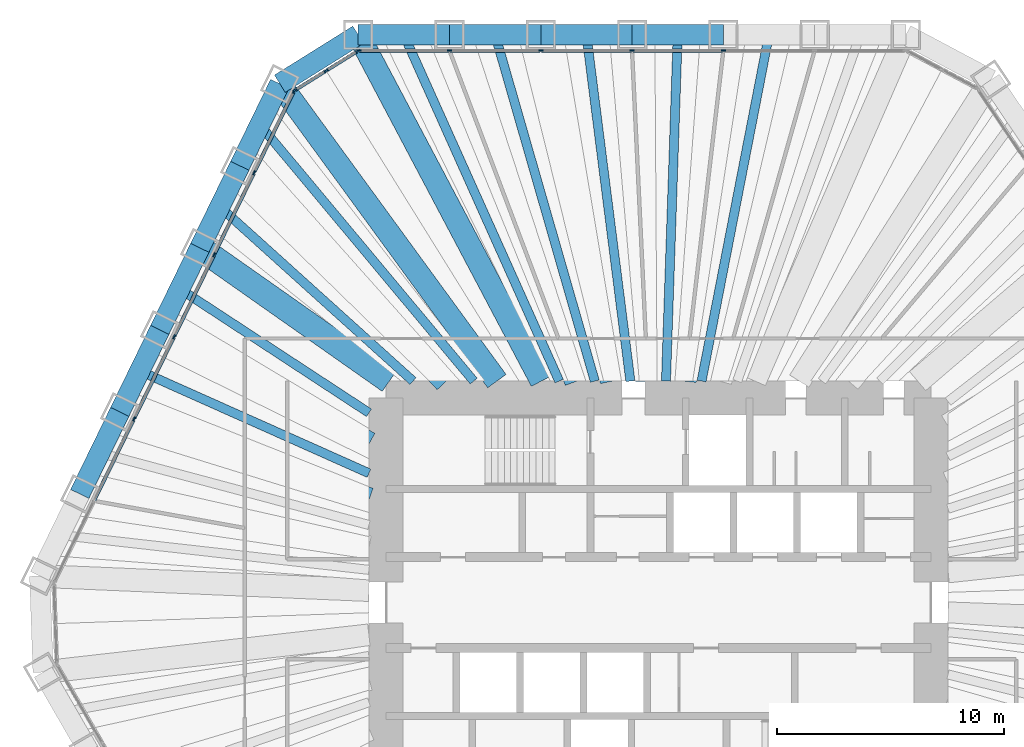
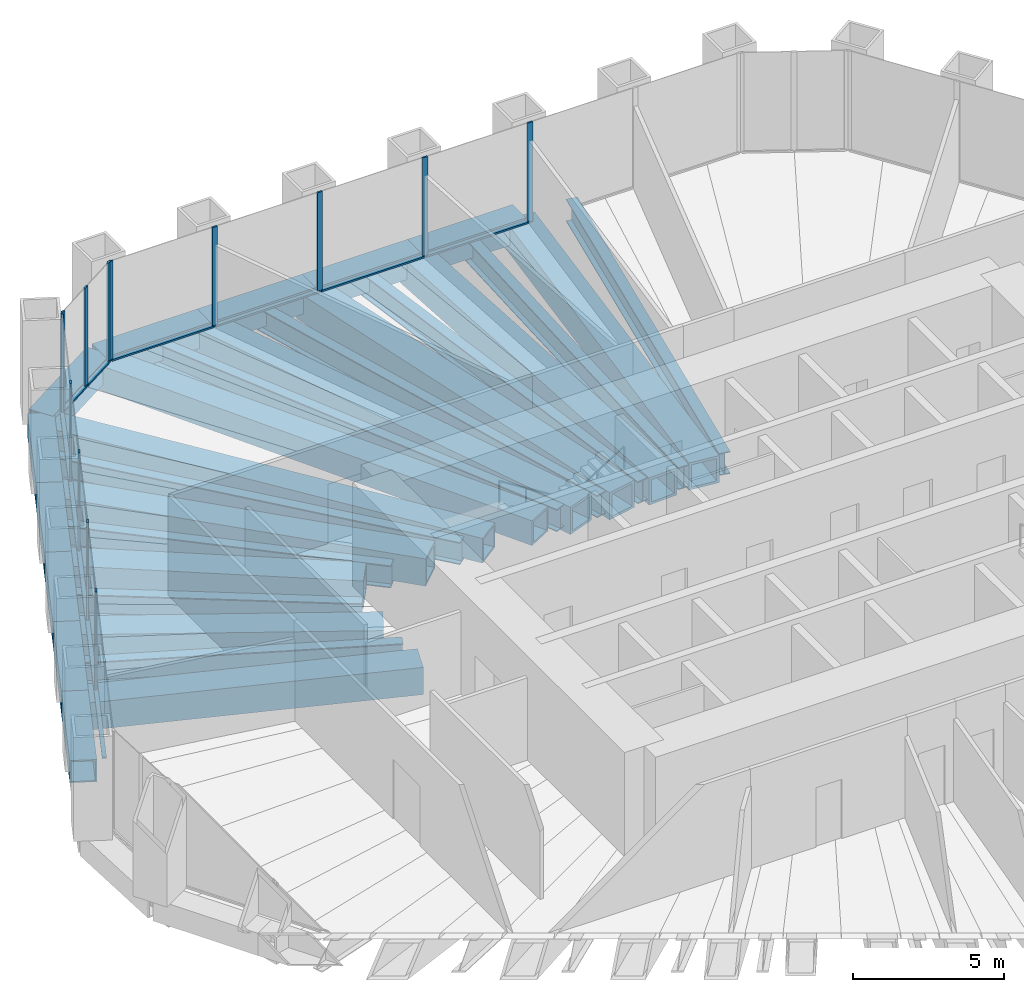
# One storey, part 5 of 12: 29 beams, 24 members, 3 elements without a shape of their own.
"""IFC4 building model written with IfcOpenShell, lengths in metres."""

from ifc_helpers import new_model, si_unit, direction, frame, origin, origin_2d, place, context, subcontext, project, spatial, rectangle, hollow_rectangle, i_section, extrude, material, material_profile, profile_set, type_object, element, aggregate, save


model = new_model("IFC4")

# Units and contexts
model_context = context("Model", 3, precision=1e-05, world=origin(), true_north=direction((0.0, 1.0)))
body_context = subcontext(model_context, "Body", "Model", "MODEL_VIEW")
ifc_project = project(units=[si_unit("LENGTHUNIT", "METRE"), si_unit("AREAUNIT", "SQUARE_METRE"), si_unit("VOLUMEUNIT", "CUBIC_METRE"), si_unit("PLANEANGLEUNIT", "RADIAN"), si_unit("MASSUNIT", "GRAM", prefix="KILO")], contexts=[model_context])

# Site, building, storey
site_placement = place(None, origin())
site = spatial("IfcSite", under=ifc_project, at=site_placement, CompositionType="ELEMENT")
building_placement = place(site_placement, origin())
building = spatial("IfcBuilding", under=site, at=building_placement, Name="Qingtian Harvest Tower", CompositionType="ELEMENT")
storey_placement = place(building_placement, frame((0.0, 0.0, 107.199951171875)))
storey = spatial("IfcBuildingStorey", under=building, at=storey_placement, Name="L21", CompositionType="ELEMENT", Elevation=107.199951171875)

# Beams
ifc_material_1 = material(Name="Steel SN490B", Category="steel")
ifc_material_profile_1 = material_profile(ifc_material_1, i_section(OverallWidth=0.39990234375, OverallDepth=0.89990234375, WebThickness=0.01904296875, FlangeThickness=0.035888671875, at=origin_2d()), Name="H900x400x19x36")
ifc_profile_set_1 = profile_set([ifc_material_profile_1], Name="Steel SN490B")
beam_type_1 = type_object("IfcBeamType", Name="Floor joist J4 H900x400x19x36", PredefinedType="JOIST", material=ifc_profile_set_1)
beam_1_placement = place(storey_placement, frame((-11.212158203125, 25.0, -0.619873046875), z_axis=(0.409212761683, -0.912438992852, 0.0), x_axis=(0.912438992852, 0.409212761683, 0.0)))
element("IfcBeam", 1, at=beam_1_placement, inside=storey, type_object=beam_type_1, Name="Floor joist J4 N0", PredefinedType="JOIST", context=body_context, shape_type="SweptSolid", body=[
    extrude(i_section(OverallWidth=0.39990234375, OverallDepth=0.89990234375, WebThickness=0.01904296875, FlangeThickness=0.035888671875, at=origin_2d()), origin(), (0.0, 0.0, 1.0), 16.71337890625),
])
beam_2_placement = place(storey_placement, frame((-7.193115234375, 25.0, -0.619873046875), z_axis=(0.276500682027, -0.961013721462, 0.0), x_axis=(0.961013721462, 0.276500682027, 0.0)))
element("IfcBeam", 2, at=beam_2_placement, inside=storey, type_object=beam_type_1, Name="Floor joist J4 N1", PredefinedType="JOIST", context=body_context, shape_type="SweptSolid", body=[
    extrude(i_section(OverallWidth=0.39990234375, OverallDepth=0.89990234375, WebThickness=0.01904296875, FlangeThickness=0.035888671875, at=origin_2d()), origin(), (0.0, 0.0, 1.0), 15.86865234375),
])
beam_3_placement = place(storey_placement, frame((-3.174072265625, 25.0, -0.619873046875), z_axis=(0.125957899702, -0.992035587821, 0.0), x_axis=(0.992035587821, 0.125957899702, 0.0)))
element("IfcBeam", 3, at=beam_3_placement, inside=storey, type_object=beam_type_1, Name="Floor joist J4 N2", PredefinedType="JOIST", context=body_context, shape_type="SweptSolid", body=[
    extrude(i_section(OverallWidth=0.39990234375, OverallDepth=0.89990234375, WebThickness=0.01904296875, FlangeThickness=0.035888671875, at=origin_2d()), origin(), (0.0, 0.0, 1.0), 15.372314453125),
])
beam_4_placement = place(storey_placement, frame((0.844970703125, 25.0, -0.619873046875), z_axis=(-0.033776183237, -0.999429421943, 0.0), x_axis=(0.999429421943, -0.033776183237, 0.0)))
element("IfcBeam", 4, at=beam_4_placement, inside=storey, type_object=beam_type_1, Name="Floor joist J4 N3", PredefinedType="JOIST", context=body_context, shape_type="SweptSolid", body=[
    extrude(i_section(OverallWidth=0.39990234375, OverallDepth=0.89990234375, WebThickness=0.01904296875, FlangeThickness=0.035888671875, at=origin_2d()), origin(), (0.0, 0.0, 1.0), 15.2587890625),
])
beam_5_placement = place(storey_placement, frame((4.864013671875, 25.0, -0.619873046875), z_axis=(-0.190979017217, -0.981594119269, 0.0), x_axis=(0.981594119269, -0.190979017217, 0.0)))
element("IfcBeam", 5, at=beam_5_placement, inside=storey, type_object=beam_type_1, Name="Floor joist J4 N4", PredefinedType="JOIST", context=body_context, shape_type="SweptSolid", body=[
    extrude(i_section(OverallWidth=0.39990234375, OverallDepth=0.89990234375, WebThickness=0.01904296875, FlangeThickness=0.035888671875, at=origin_2d()), origin(), (0.0, 0.0, 1.0), 15.535888671875),
])
beam_6_placement = place(storey_placement, frame((-22.84033203125, 10.19970703125, -0.619873046875), z_axis=(0.913095877166, -0.407744919162, 0.0), x_axis=(0.407744919162, 0.913095877166, 0.0)))
element("IfcBeam", 6, at=beam_6_placement, inside=storey, type_object=beam_type_1, Name="Floor joist J4 NW2", PredefinedType="JOIST", context=body_context, shape_type="SweptSolid", body=[
    extrude(i_section(OverallWidth=0.39990234375, OverallDepth=0.89990234375, WebThickness=0.01904296875, FlangeThickness=0.035888671875, at=origin_2d()), origin(), (0.0, 0.0, 1.0), 11.05078125),
])
beam_7_placement = place(storey_placement, frame((-21.078369140625, 13.81201171875, -0.619873046875), z_axis=(0.836426246046, -0.548079496903, 0.0), x_axis=(0.548079496903, 0.836426246046, 0.0)))
element("IfcBeam", 7, at=beam_7_placement, inside=storey, type_object=beam_type_1, Name="Floor joist J4 NW3", PredefinedType="JOIST", context=body_context, shape_type="SweptSolid", body=[
    extrude(i_section(OverallWidth=0.39990234375, OverallDepth=0.89990234375, WebThickness=0.01904296875, FlangeThickness=0.035888671875, at=origin_2d()), origin(), (0.0, 0.0, 1.0), 9.95703125),
])
beam_8_placement = place(storey_placement, frame((-19.316650390625, 17.42431640625, -0.619873046875), z_axis=(0.742543540775, -0.669797797886, 0.0), x_axis=(0.669797797886, 0.742543540775, 0.0)))
element("IfcBeam", 8, at=beam_8_placement, inside=storey, type_object=beam_type_1, Name="Floor joist J4 NW4", PredefinedType="JOIST", context=body_context, shape_type="SweptSolid", body=[
    extrude(i_section(OverallWidth=0.39990234375, OverallDepth=0.89990234375, WebThickness=0.01904296875, FlangeThickness=0.035888671875, at=origin_2d()), origin(), (0.0, 0.0, 1.0), 11.457763671875),
])
beam_9_placement = place(storey_placement, frame((-17.5546875, 21.03662109375, -0.619873046875), z_axis=(0.640703730007, -0.767788206704, 0.0), x_axis=(0.767788206704, 0.640703730007, 0.0)))
element("IfcBeam", 9, at=beam_9_placement, inside=storey, type_object=beam_type_1, Name="Floor joist J4 NW5", PredefinedType="JOIST", context=body_context, shape_type="SweptSolid", body=[
    extrude(i_section(OverallWidth=0.39990234375, OverallDepth=0.89990234375, WebThickness=0.01904296875, FlangeThickness=0.035888671875, at=origin_2d()), origin(), (0.0, 0.0, 1.0), 14.7001953125),
])

# Curtain wall, members
ifc_material_2 = material(Name="Bronze-anodised aluminium curtain wall", Category="aluminium")
curtain_wall_type = type_object("IfcCurtainWallType", Name="Curtain wall CW4 office", PredefinedType="USERDEFINED", material=ifc_material_2)
curtain_wall_1_placement = place(storey_placement, origin())
curtain_wall_1 = element("IfcCurtainWall", 10, at=curtain_wall_1_placement, inside=storey, type_object=curtain_wall_type, Name="Curtain wall CW4 L21 N0-5", ObjectType="RECESSED CURTAIN WALL", PredefinedType="USERDEFINED")
ifc_material_3 = material(Name="Bronze-anodised aluminium mullion", Category="aluminium")
ifc_material_profile_2 = material_profile(ifc_material_3, rectangle(XDim=0.06494140625, YDim=0.199951171875, at=origin_2d()), Name="AL 65x200")
ifc_profile_set_2 = profile_set([ifc_material_profile_2], Name="Bronze-anodised aluminium mullion")
member_type_1 = type_object("IfcMemberType", Name="Mullion CWM 65x200", PredefinedType="MULLION", material=ifc_profile_set_2)
member_1_placement = place(storey_placement, frame((-13.189208984375, 24.300048828125, 0.0), z_axis=(0.0, 0.0, 1.0), x_axis=(0.0, 1.0, 0.0)))
member_1 = element("IfcMember", 11, at=member_1_placement, type_object=member_type_1, Name="CW4 mullion 1", PredefinedType="MULLION", context=body_context, shape_type="SweptSolid", body=[
    extrude(rectangle(XDim=0.06494140625, YDim=0.199951171875, at=origin_2d()), origin(), (0.0, 0.0, 1.0), 4.030029296875),
])
member_2_placement = place(storey_placement, frame((-9.20263671875, 24.300048828125, 0.0), z_axis=(0.0, 0.0, 1.0), x_axis=(0.0, 1.0, 0.0)))
member_2 = element("IfcMember", 12, at=member_2_placement, type_object=member_type_1, Name="CW4 mullion 2", PredefinedType="MULLION", context=body_context, shape_type="SweptSolid", body=[
    extrude(rectangle(XDim=0.06494140625, YDim=0.199951171875, at=origin_2d()), origin(), (0.0, 0.0, 1.0), 4.030029296875),
])
member_3_placement = place(storey_placement, frame((-5.18359375, 24.300048828125, 0.0), z_axis=(0.0, 0.0, 1.0), x_axis=(0.0, 1.0, 0.0)))
member_3 = element("IfcMember", 13, at=member_3_placement, type_object=member_type_1, Name="CW4 mullion 3", PredefinedType="MULLION", context=body_context, shape_type="SweptSolid", body=[
    extrude(rectangle(XDim=0.06494140625, YDim=0.199951171875, at=origin_2d()), origin(), (0.0, 0.0, 1.0), 4.030029296875),
])
member_4_placement = place(storey_placement, frame((-1.16455078125, 24.300048828125, 0.0), z_axis=(0.0, 0.0, 1.0), x_axis=(0.0, 1.0, 0.0)))
member_4 = element("IfcMember", 14, at=member_4_placement, type_object=member_type_1, Name="CW4 mullion 4", PredefinedType="MULLION", context=body_context, shape_type="SweptSolid", body=[
    extrude(rectangle(XDim=0.06494140625, YDim=0.199951171875, at=origin_2d()), origin(), (0.0, 0.0, 1.0), 4.030029296875),
])
member_5_placement = place(storey_placement, frame((2.8544921875, 24.300048828125, 0.0), z_axis=(0.0, 0.0, 1.0), x_axis=(0.0, 1.0, 0.0)))
member_5 = element("IfcMember", 15, at=member_5_placement, type_object=member_type_1, Name="CW4 mullion 5", PredefinedType="MULLION", context=body_context, shape_type="SweptSolid", body=[
    extrude(rectangle(XDim=0.06494140625, YDim=0.199951171875, at=origin_2d()), origin(), (0.0, 0.0, 1.0), 4.030029296875),
])

curtain_wall_2_placement = place(storey_placement, origin())
curtain_wall_2 = element("IfcCurtainWall", 16, at=curtain_wall_2_placement, inside=storey, type_object=curtain_wall_type, Name="Curtain wall CW4 L21 NW0-5", ObjectType="RECESSED CURTAIN WALL", PredefinedType="USERDEFINED")
member_6_placement = place(storey_placement, frame((-23.092041015625, 8.086669921875, 0.0), z_axis=(0.0, 0.0, 1.0), x_axis=(-0.898794046299, 0.438371146789, 0.0)))
member_6 = element("IfcMember", 17, at=member_6_placement, type_object=member_type_1, Name="CW4 mullion 3", PredefinedType="MULLION", context=body_context, shape_type="SweptSolid", body=[
    extrude(rectangle(XDim=0.06494140625, YDim=0.199951171875, at=origin_2d()), origin(), (0.0, 0.0, 1.0), 4.030029296875),
])
member_7_placement = place(storey_placement, frame((-21.330322265625, 11.698974609375, 0.0), z_axis=(0.0, 0.0, 1.0), x_axis=(-0.898794046299, 0.438371146789, 0.0)))
member_7 = element("IfcMember", 18, at=member_7_placement, type_object=member_type_1, Name="CW4 mullion 4", PredefinedType="MULLION", context=body_context, shape_type="SweptSolid", body=[
    extrude(rectangle(XDim=0.06494140625, YDim=0.199951171875, at=origin_2d()), origin(), (0.0, 0.0, 1.0), 4.030029296875),
])
member_8_placement = place(storey_placement, frame((-19.568359375, 15.311279296875, 0.0), z_axis=(0.0, 0.0, 1.0), x_axis=(-0.898794046299, 0.438371146789, 0.0)))
member_8 = element("IfcMember", 19, at=member_8_placement, type_object=member_type_1, Name="CW4 mullion 5", PredefinedType="MULLION", context=body_context, shape_type="SweptSolid", body=[
    extrude(rectangle(XDim=0.06494140625, YDim=0.199951171875, at=origin_2d()), origin(), (0.0, 0.0, 1.0), 4.030029296875),
])
member_9_placement = place(storey_placement, frame((-17.806396484375, 18.923828125, 0.0), z_axis=(0.0, 0.0, 1.0), x_axis=(-0.898794046299, 0.438371146789, 0.0)))
member_9 = element("IfcMember", 20, at=member_9_placement, type_object=member_type_1, Name="CW4 mullion 6", PredefinedType="MULLION", context=body_context, shape_type="SweptSolid", body=[
    extrude(rectangle(XDim=0.06494140625, YDim=0.199951171875, at=origin_2d()), origin(), (0.0, 0.0, 1.0), 4.030029296875),
])
member_10_placement = place(storey_placement, frame((-16.058837890625, 22.5068359375, 0.0), z_axis=(0.0, 0.0, 1.0), x_axis=(-0.898794046299, 0.438371146789, 0.0)))
member_10 = element("IfcMember", 21, at=member_10_placement, type_object=member_type_1, Name="CW4 mullion 7", PredefinedType="MULLION", context=body_context, shape_type="SweptSolid", body=[
    extrude(rectangle(XDim=0.06494140625, YDim=0.199951171875, at=origin_2d()), origin(), (0.0, 0.0, 1.0), 4.030029296875),
])

curtain_wall_3_placement = place(storey_placement, origin())
curtain_wall_3 = element("IfcCurtainWall", 22, at=curtain_wall_3_placement, inside=storey, type_object=curtain_wall_type, Name="Curtain wall CW4 L21 NWC", ObjectType="RECESSED CURTAIN WALL", PredefinedType="USERDEFINED")
member_11_placement = place(storey_placement, frame((-16.01708984375, 22.55322265625, 0.0), z_axis=(0.0, 0.0, 1.0), x_axis=(-0.529919264233, 0.848048096156, 0.0)))
member_11 = element("IfcMember", 23, at=member_11_placement, type_object=member_type_1, Name="CW4 mullion 1", PredefinedType="MULLION", context=body_context, shape_type="SweptSolid", body=[
    extrude(rectangle(XDim=0.06494140625, YDim=0.199951171875, at=origin_2d()), origin(), (0.0, 0.0, 1.0), 4.030029296875),
])
member_12_placement = place(storey_placement, frame((-14.63330078125, 23.41796875, 0.0), z_axis=(0.0, 0.0, 1.0), x_axis=(-0.529919264233, 0.848048096156, 0.0)))
member_12 = element("IfcMember", 24, at=member_12_placement, type_object=member_type_1, Name="CW4 mullion 2", PredefinedType="MULLION", context=body_context, shape_type="SweptSolid", body=[
    extrude(rectangle(XDim=0.06494140625, YDim=0.199951171875, at=origin_2d()), origin(), (0.0, 0.0, 1.0), 4.030029296875),
])
member_13_placement = place(storey_placement, frame((-13.249267578125, 24.28271484375, 0.0), z_axis=(0.0, 0.0, 1.0), x_axis=(-0.529919264233, 0.848048096156, 0.0)))
member_13 = element("IfcMember", 25, at=member_13_placement, type_object=member_type_1, Name="CW4 mullion 3", PredefinedType="MULLION", context=body_context, shape_type="SweptSolid", body=[
    extrude(rectangle(XDim=0.06494140625, YDim=0.199951171875, at=origin_2d()), origin(), (0.0, 0.0, 1.0), 4.030029296875),
])

# Beams
ifc_material_4 = material(Name="Steel SM570MC", Category="steel")
ifc_material_profile_3 = material_profile(ifc_material_4, hollow_rectangle(XDim=1.0, YDim=1.0, WallThickness=0.080078125, at=origin_2d()), Name="BOX1000x1000x80")
ifc_profile_set_3 = profile_set([ifc_material_profile_3], Name="Steel SM570MC")
beam_type_2 = type_object("IfcBeamType", Name="Transfer corner beam FB11 BOX1000x1000x80", PredefinedType="BEAM", material=ifc_profile_set_3)
beam_10_placement = place(storey_placement, frame((-13.2216796875, 25.0, -0.669921875), z_axis=(0.46750989692, -0.88398783718, 0.0), x_axis=(0.88398783718, 0.46750989692, 0.0)))
element("IfcBeam", 26, at=beam_10_placement, inside=storey, type_object=beam_type_2, Name="Floor beam FB11 N0", PredefinedType="BEAM", context=body_context, shape_type="SweptSolid", body=[
    extrude(hollow_rectangle(XDim=1.0, YDim=1.0, WallThickness=0.080078125, at=origin_2d()), origin(), (0.0, 0.0, 1.0), 17.25146484375),
])
beam_11_placement = place(storey_placement, frame((-16.673828125, 22.8427734375, -0.669921875), z_axis=(0.589577703364, -0.807711663712, 0.0), x_axis=(0.807711663712, 0.589577703364, 0.0)))
element("IfcBeam", 27, at=beam_11_placement, inside=storey, type_object=beam_type_2, Name="Floor beam FB11 NW6", PredefinedType="BEAM", context=body_context, shape_type="SweptSolid", body=[
    extrude(hollow_rectangle(XDim=1.0, YDim=1.0, WallThickness=0.080078125, at=origin_2d()), origin(), (0.0, 0.0, 1.0), 16.209716796875),
])
ifc_material_5 = material(Name="Steel SM570MC", Category="steel")
ifc_material_profile_4 = material_profile(ifc_material_5, hollow_rectangle(XDim=1.10009765625, YDim=1.10009765625, WallThickness=0.10009765625, at=origin_2d()), Name="BOX1100x1100x100")
ifc_profile_set_4 = profile_set([ifc_material_profile_4], Name="Steel SM570MC")
beam_type_3 = type_object("IfcBeamType", Name="Transfer floor beam FB9 BOX1100x1100x100", PredefinedType="BEAM", material=ifc_profile_set_4)
beam_12_placement = place(storey_placement, frame((-9.20263671875, 25.0, -0.719970703125), z_axis=(0.345440084985, -0.938440806703, 0.0), x_axis=(0.938440806703, 0.345440084985, 0.0)))
element("IfcBeam", 28, at=beam_12_placement, inside=storey, type_object=beam_type_3, Name="Floor beam FB9 N1", PredefinedType="BEAM", context=body_context, shape_type="SweptSolid", body=[
    extrude(hollow_rectangle(XDim=1.10009765625, YDim=1.10009765625, WallThickness=0.10009765625, at=origin_2d()), origin(), (0.0, 0.0, 1.0), 16.250244140625),
])
beam_13_placement = place(storey_placement, frame((-5.18359375, 25.0, -0.719970703125), z_axis=(0.203032709566, -0.979171955709, 0.0), x_axis=(0.979171955709, 0.203032709566, 0.0)))
element("IfcBeam", 29, at=beam_13_placement, inside=storey, type_object=beam_type_3, Name="Floor beam FB9 N2", PredefinedType="BEAM", context=body_context, shape_type="SweptSolid", body=[
    extrude(hollow_rectangle(XDim=1.10009765625, YDim=1.10009765625, WallThickness=0.10009765625, at=origin_2d()), origin(), (0.0, 0.0, 1.0), 15.574462890625),
])
beam_14_placement = place(storey_placement, frame((-1.16455078125, 25.0, -0.719970703125), z_axis=(0.046536361684, -0.998916596639, 0.0), x_axis=(0.998916596639, 0.046536361684, 0.0)))
element("IfcBeam", 30, at=beam_14_placement, inside=storey, type_object=beam_type_3, Name="Floor beam FB9 N3", PredefinedType="BEAM", context=body_context, shape_type="SweptSolid", body=[
    extrude(hollow_rectangle(XDim=1.10009765625, YDim=1.10009765625, WallThickness=0.10009765625, at=origin_2d()), origin(), (0.0, 0.0, 1.0), 15.2666015625),
])
beam_15_placement = place(storey_placement, frame((2.8544921875, 25.0, -0.719970703125), z_axis=(-0.113440722222, -0.993544766249, 0.0), x_axis=(0.993544766249, -0.113440722222, 0.0)))
element("IfcBeam", 31, at=beam_15_placement, inside=storey, type_object=beam_type_3, Name="Floor beam FB9 N4", PredefinedType="BEAM", context=body_context, shape_type="SweptSolid", body=[
    extrude(hollow_rectangle(XDim=1.10009765625, YDim=1.10009765625, WallThickness=0.10009765625, at=origin_2d()), origin(), (0.0, 0.0, 1.0), 15.34912109375),
])
beam_16_placement = place(storey_placement, frame((-23.72119140625, 8.3935546875, -0.719970703125), z_axis=(0.942723186419, -0.333576068967, 0.0), x_axis=(0.333576068967, 0.942723186419, 0.0)))
element("IfcBeam", 32, at=beam_16_placement, inside=storey, type_object=beam_type_3, Name="Floor beam FB9 NW2", PredefinedType="BEAM", context=body_context, shape_type="SweptSolid", body=[
    extrude(hollow_rectangle(XDim=1.10009765625, YDim=1.10009765625, WallThickness=0.10009765625, at=origin_2d()), origin(), (0.0, 0.0, 1.0), 11.6376953125),
])
beam_17_placement = place(storey_placement, frame((-21.95947265625, 12.005859375, -0.719970703125), z_axis=(0.877432026785, -0.479700988505, 0.0), x_axis=(0.479700988505, 0.877432026785, 0.0)))
element("IfcBeam", 33, at=beam_17_placement, inside=storey, type_object=beam_type_3, Name="Floor beam FB9 NW3", PredefinedType="BEAM", context=body_context, shape_type="SweptSolid", body=[
    extrude(hollow_rectangle(XDim=1.10009765625, YDim=1.10009765625, WallThickness=0.10009765625, at=origin_2d()), origin(), (0.0, 0.0, 1.0), 10.495849609375),
])
beam_18_placement = place(storey_placement, frame((-20.197509765625, 15.6181640625, -0.719970703125), z_axis=(0.818080343043, -0.57510394915, 0.0), x_axis=(0.57510394915, 0.818080343043, 0.0)))
element("IfcBeam", 34, at=beam_18_placement, inside=storey, type_object=beam_type_3, Name="Floor beam FB9 NW4", PredefinedType="BEAM", context=body_context, shape_type="SweptSolid", body=[
    extrude(hollow_rectangle(XDim=1.10009765625, YDim=1.10009765625, WallThickness=0.10009765625, at=origin_2d()), origin(), (0.0, 0.0, 1.0), 10.20361328125),
])
beam_19_placement = place(storey_placement, frame((-18.435791015625, 19.23046875, -0.719970703125), z_axis=(0.69204101057, -0.721858185303, 0.0), x_axis=(0.721858185303, 0.69204101057, 0.0)))
element("IfcBeam", 35, at=beam_19_placement, inside=storey, type_object=beam_type_3, Name="Floor beam FB9 NW5", PredefinedType="BEAM", context=body_context, shape_type="SweptSolid", body=[
    extrude(hollow_rectangle(XDim=1.10009765625, YDim=1.10009765625, WallThickness=0.10009765625, at=origin_2d()), origin(), (0.0, 0.0, 1.0), 13.13330078125),
])
ifc_material_6 = material(Name="Steel SM570MC", Category="steel")
ifc_material_profile_5 = material_profile(ifc_material_6, hollow_rectangle(XDim=0.89990234375, YDim=0.89990234375, WallThickness=0.050048828125, at=origin_2d()), Name="BOX900x900x50")
ifc_profile_set_5 = profile_set([ifc_material_profile_5], Name="Steel SM570MC")
beam_type_4 = type_object("IfcBeamType", Name="Transition spandrel SB6 BOX900x900x50", PredefinedType="SPANDREL", material=ifc_profile_set_5)
for number, where, z_axis, x_axis, name in (
    (36, (-13.2216796875, 25.0, -0.449951171875), (1.0, 0.0, 0.0), (0.0, 1.0, 0.0), "Spandrel SB6 N0"),
    (37, (-9.20263671875, 25.0, -0.449951171875), (1.0, 0.0, 0.0), (0.0, 1.0, 0.0), "Spandrel SB6 N1"),
    (38, (-5.18359375, 25.0, -0.449951171875), (1.0, 0.0, 0.0), (0.0, 1.0, 0.0), "Spandrel SB6 N2"),
    (39, (-1.16455078125, 25.0, -0.449951171875), (1.0, 0.0, 0.0), (0.0, 1.0, 0.0), "Spandrel SB6 N3"),
    (40, (-25.483154296875, 4.78125, -0.449951171875), (0.438396105405, 0.89878187274, 0.0), (-0.89878187274, 0.438396105405, 0.0), "Spandrel SB6 NW1"),
    (41, (-23.72119140625, 8.3935546875, -0.449951171875), (0.438347033158, 0.898805806902, 0.0), (-0.898805806902, 0.438347033158, 0.0), "Spandrel SB6 NW2"),
    (42, (-21.95947265625, 12.005859375, -0.449951171875), (0.438396105405, 0.89878187274, 0.0), (-0.89878187274, 0.438396105405, 0.0), "Spandrel SB6 NW3"),
    (43, (-20.197509765625, 15.6181640625, -0.449951171875), (0.438347033158, 0.898805806902, 0.0), (-0.898805806902, 0.438347033158, 0.0), "Spandrel SB6 NW4"),
    (44, (-18.435791015625, 19.23046875, -0.449951171875), (0.438396105405, 0.89878187274, 0.0), (-0.89878187274, 0.438396105405, 0.0), "Spandrel SB6 NW5"),
):
    element("IfcBeam", number, at=place(storey_placement, frame(where, z_axis=z_axis, x_axis=x_axis)), inside=storey, type_object=beam_type_4, Name=name, PredefinedType="SPANDREL", context=body_context, shape_type="SweptSolid", body=[
        extrude(hollow_rectangle(XDim=0.89990234375, YDim=0.89990234375, WallThickness=0.050048828125, at=origin_2d()), origin(), (0.0, 0.0, 1.0), 4.01904296875),
    ])
beam_20_placement = place(storey_placement, frame((-16.673828125, 22.8427734375, -0.449951171875), z_axis=(0.848038733752, 0.529934246919, 0.0), x_axis=(-0.529934246919, 0.848038733752, 0.0)))
element("IfcBeam", 45, at=beam_20_placement, inside=storey, type_object=beam_type_4, Name="Spandrel SB6 NWC", PredefinedType="SPANDREL", context=body_context, shape_type="SweptSolid", body=[
    extrude(hollow_rectangle(XDim=0.89990234375, YDim=0.89990234375, WallThickness=0.050048828125, at=origin_2d()), origin(), (0.0, 0.0, 1.0), 4.07080078125),
])

# Member
ifc_material_7 = material(Name="Bronze-anodised aluminium transom", Category="aluminium")
ifc_material_profile_6 = material_profile(ifc_material_7, rectangle(XDim=0.14990234375, YDim=0.06494140625, at=origin_2d()), Name="AL 65x150")
ifc_profile_set_6 = profile_set([ifc_material_profile_6], Name="Bronze-anodised aluminium transom")
member_type_2 = type_object("IfcMemberType", Name="Transom CWT 65x150", PredefinedType="USERDEFINED", material=ifc_profile_set_6)
member_14_placement = place(storey_placement, frame((-13.15673828125, 24.300048828125, 0.032470703125), z_axis=(1.0, 0.0, 0.0), x_axis=(0.0, 1.0, 0.0)))
member_14 = element("IfcMember", 46, at=member_14_placement, type_object=member_type_2, Name="CW4 transom 1.1", ObjectType="TRANSOM", PredefinedType="USERDEFINED", context=body_context, shape_type="SweptSolid", body=[
    extrude(rectangle(XDim=0.14990234375, YDim=0.06494140625, at=origin_2d()), origin(), (0.0, 0.0, 1.0), 3.921630859375),
])

member_15_placement = place(storey_placement, frame((-9.170166015625, 24.300048828125, 0.032470703125), z_axis=(1.0, 0.0, 0.0), x_axis=(0.0, 1.0, 0.0)))
member_15 = element("IfcMember", 47, at=member_15_placement, type_object=member_type_2, Name="CW4 transom 2.1", ObjectType="TRANSOM", PredefinedType="USERDEFINED", context=body_context, shape_type="SweptSolid", body=[
    extrude(rectangle(XDim=0.14990234375, YDim=0.06494140625, at=origin_2d()), origin(), (0.0, 0.0, 1.0), 3.9541015625),
])

member_16_placement = place(storey_placement, frame((-5.151123046875, 24.300048828125, 0.032470703125), z_axis=(1.0, 0.0, 0.0), x_axis=(0.0, 1.0, 0.0)))
member_16 = element("IfcMember", 48, at=member_16_placement, type_object=member_type_2, Name="CW4 transom 3.1", ObjectType="TRANSOM", PredefinedType="USERDEFINED", context=body_context, shape_type="SweptSolid", body=[
    extrude(rectangle(XDim=0.14990234375, YDim=0.06494140625, at=origin_2d()), origin(), (0.0, 0.0, 1.0), 3.9541015625),
])

member_17_placement = place(storey_placement, frame((-1.132080078125, 24.300048828125, 0.032470703125), z_axis=(1.0, 0.0, 0.0), x_axis=(0.0, 1.0, 0.0)))
member_17 = element("IfcMember", 49, at=member_17_placement, type_object=member_type_2, Name="CW4 transom 4.1", ObjectType="TRANSOM", PredefinedType="USERDEFINED", context=body_context, shape_type="SweptSolid", body=[
    extrude(rectangle(XDim=0.14990234375, YDim=0.06494140625, at=origin_2d()), origin(), (0.0, 0.0, 1.0), 3.9541015625),
])

aggregate(curtain_wall_1, [member_1, member_2, member_3, member_4, member_5, member_14, member_15, member_16, member_17])

member_18_placement = place(storey_placement, frame((-24.839599609375, 4.503662109375, 0.032470703125), z_axis=(0.438374972828, 0.898792180205, 0.0), x_axis=(-0.898792180205, 0.438374972828, 0.0)))
member_18 = element("IfcMember", 50, at=member_18_placement, type_object=member_type_2, Name="CW4 transom 2.1", ObjectType="TRANSOM", PredefinedType="USERDEFINED", context=body_context, shape_type="SweptSolid", body=[
    extrude(rectangle(XDim=0.14990234375, YDim=0.06494140625, at=origin_2d()), origin(), (0.0, 0.0, 1.0), 3.9541015625),
])

member_19_placement = place(storey_placement, frame((-23.077880859375, 8.115966796875, 0.032470703125), z_axis=(0.438374972828, 0.898792180205, 0.0), x_axis=(-0.898792180205, 0.438374972828, 0.0)))
member_19 = element("IfcMember", 51, at=member_19_placement, type_object=member_type_2, Name="CW4 transom 3.1", ObjectType="TRANSOM", PredefinedType="USERDEFINED", context=body_context, shape_type="SweptSolid", body=[
    extrude(rectangle(XDim=0.14990234375, YDim=0.06494140625, at=origin_2d()), origin(), (0.0, 0.0, 1.0), 3.9541015625),
])

member_20_placement = place(storey_placement, frame((-21.31591796875, 11.728271484375, 0.032470703125), z_axis=(0.438374972828, 0.898792180205, 0.0), x_axis=(-0.898792180205, 0.438374972828, 0.0)))
member_20 = element("IfcMember", 52, at=member_20_placement, type_object=member_type_2, Name="CW4 transom 4.1", ObjectType="TRANSOM", PredefinedType="USERDEFINED", context=body_context, shape_type="SweptSolid", body=[
    extrude(rectangle(XDim=0.14990234375, YDim=0.06494140625, at=origin_2d()), origin(), (0.0, 0.0, 1.0), 3.9541015625),
])

member_21_placement = place(storey_placement, frame((-19.55419921875, 15.340576171875, 0.032470703125), z_axis=(0.438374972828, 0.898792180205, 0.0), x_axis=(-0.898792180205, 0.438374972828, 0.0)))
member_21 = element("IfcMember", 53, at=member_21_placement, type_object=member_type_2, Name="CW4 transom 5.1", ObjectType="TRANSOM", PredefinedType="USERDEFINED", context=body_context, shape_type="SweptSolid", body=[
    extrude(rectangle(XDim=0.14990234375, YDim=0.06494140625, at=origin_2d()), origin(), (0.0, 0.0, 1.0), 3.9541015625),
])

member_22_placement = place(storey_placement, frame((-17.792236328125, 18.952880859375, 0.032470703125), z_axis=(0.438351261745, 0.898803744611, 0.0), x_axis=(-0.898803744611, 0.438351261745, 0.0)))
member_22 = element("IfcMember", 54, at=member_22_placement, type_object=member_type_2, Name="CW4 transom 6.1", ObjectType="TRANSOM", PredefinedType="USERDEFINED", context=body_context, shape_type="SweptSolid", body=[
    extrude(rectangle(XDim=0.14990234375, YDim=0.06494140625, at=origin_2d()), origin(), (0.0, 0.0, 1.0), 3.92138671875),
])

aggregate(curtain_wall_2, [member_6, member_7, member_8, member_9, member_10, member_18, member_19, member_20, member_21, member_22])

member_23_placement = place(storey_placement, frame((-15.989501953125, 22.570556640625, 0.032470703125), z_axis=(0.848059570903, 0.529900900357, 0.0), x_axis=(-0.529900900357, 0.848059570903, 0.0)))
member_23 = element("IfcMember", 55, at=member_23_placement, type_object=member_type_2, Name="CW4 transom 1.1", ObjectType="TRANSOM", PredefinedType="USERDEFINED", context=body_context, shape_type="SweptSolid", body=[
    extrude(rectangle(XDim=0.14990234375, YDim=0.06494140625, at=origin_2d()), origin(), (0.0, 0.0, 1.0), 1.56689453125),
])

member_24_placement = place(storey_placement, frame((-14.605712890625, 23.435302734375, 0.032470703125), z_axis=(0.848059570903, 0.529900900357, 0.0), x_axis=(-0.529900900357, 0.848059570903, 0.0)))
member_24 = element("IfcMember", 56, at=member_24_placement, type_object=member_type_2, Name="CW4 transom 2.1", ObjectType="TRANSOM", PredefinedType="USERDEFINED", context=body_context, shape_type="SweptSolid", body=[
    extrude(rectangle(XDim=0.14990234375, YDim=0.06494140625, at=origin_2d()), origin(), (0.0, 0.0, 1.0), 1.56689453125),
])

aggregate(curtain_wall_3, [member_11, member_12, member_13, member_23, member_24])

save(model, "model.ifc")
